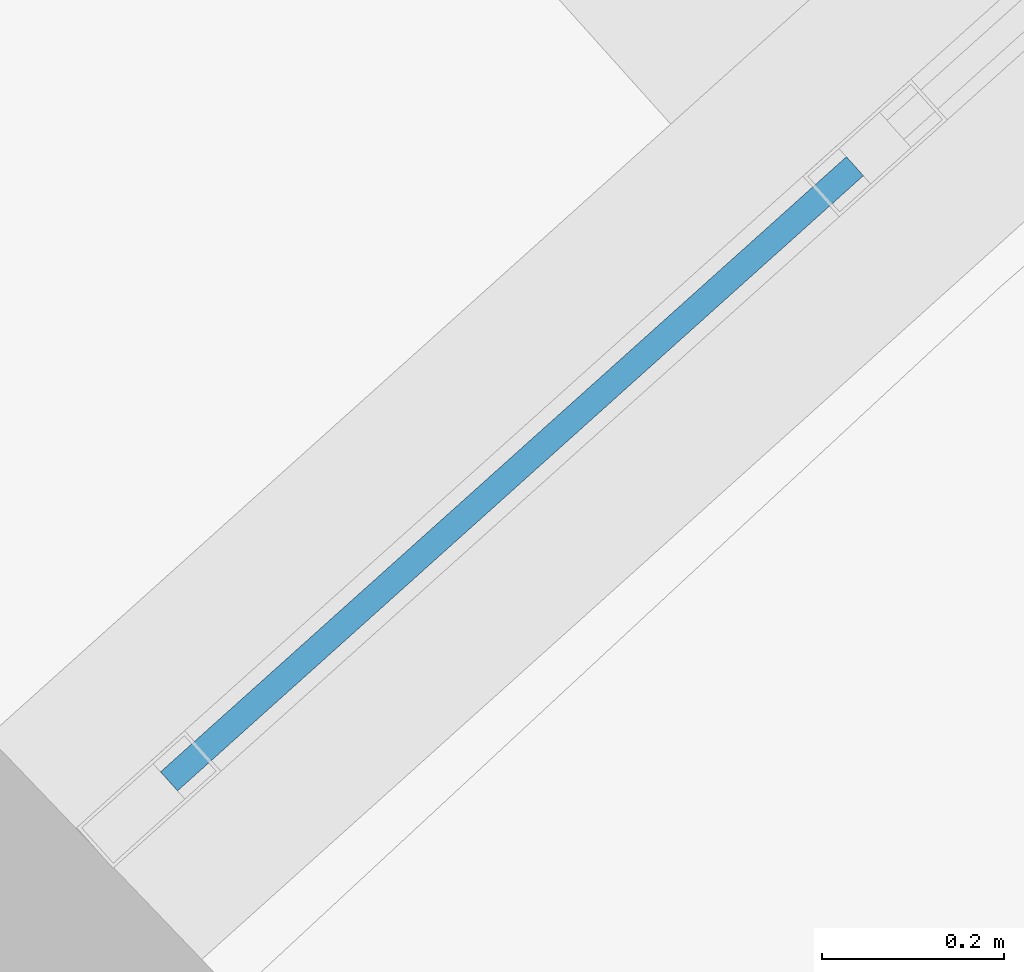
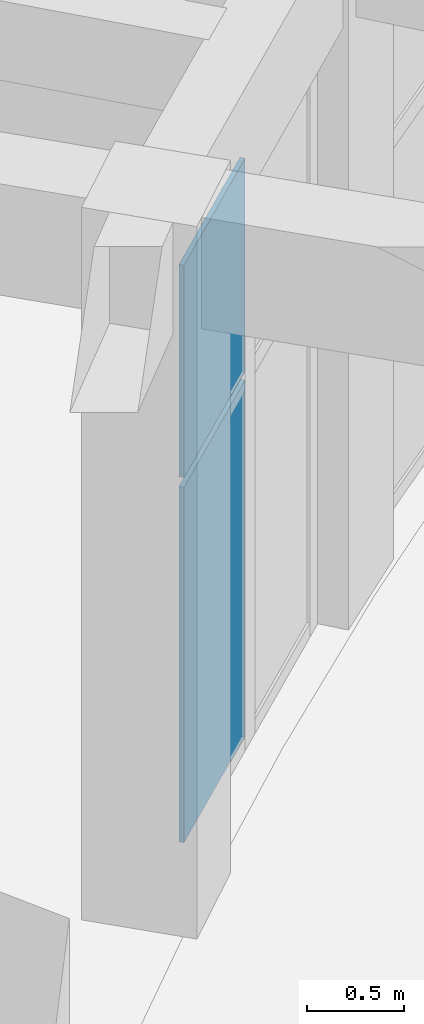
# One storey, part 76 of 132: 2 plates, 1 element without a shape of its own.
"""IFC4 building model written with IfcOpenShell, lengths in metres."""

from ifc_helpers import new_model, si_unit, direction, frame, origin, origin_2d, place, context, subcontext, project, spatial, rectangle, extrude, material, layer, layer_set, type_object, element, aggregate, save


model = new_model("IFC4")

# Units and contexts
model_context = context("Model", 3, precision=1e-05, world=origin(), true_north=direction((0.0, 1.0)))
body_context = subcontext(model_context, "Body", "Model", "MODEL_VIEW")
ifc_project = project(units=[si_unit("LENGTHUNIT", "METRE"), si_unit("AREAUNIT", "SQUARE_METRE"), si_unit("VOLUMEUNIT", "CUBIC_METRE"), si_unit("PLANEANGLEUNIT", "RADIAN"), si_unit("MASSUNIT", "GRAM", prefix="KILO")], contexts=[model_context])

# Site, building, storey
site_placement = place(None, origin())
site = spatial("IfcSite", under=ifc_project, at=site_placement, CompositionType="ELEMENT")
building_placement = place(site_placement, origin())
building = spatial("IfcBuilding", under=site, at=building_placement, Name="Tanwirah Colonnade Gardens", CompositionType="ELEMENT")
storey_placement = place(building_placement, origin())
storey = spatial("IfcBuildingStorey", under=building, at=storey_placement, Name="L00", CompositionType="ELEMENT", Elevation=0.0)

# Curtain wall, plates
ifc_material_1 = material(Name="Bronze-anodised aluminium and solar-control low-E glass", Category="aluminium")
curtain_wall_type = type_object("IfcCurtainWallType", Name="CW-GDN", PredefinedType="NOTDEFINED", material=ifc_material_1)
curtain_wall_placement = place(storey_placement, origin())
curtain_wall = element("IfcCurtainWall", 1, at=curtain_wall_placement, inside=storey, type_object=curtain_wall_type, Name="Curtain Wall CW-A-L00-IN-09", PredefinedType="NOTDEFINED")
ifc_material_2 = material(Name="Solar-control low-E double glazing", Category="glass")
ifc_layer = layer(ifc_material_2, 0.028076171875)
ifc_layer_set = layer_set([ifc_layer], Name="Solar-control low-E double glazing")
plate_type = type_object("IfcPlateType", Name="CWP-GLZ28", PredefinedType="CURTAIN_PANEL", material=ifc_layer_set)
plate_1_placement = place(storey_placement, frame((34.937255859375, 92.91357421875, 0.06005859375), z_axis=(0.0, 0.0, 1.0), x_axis=(-0.744440162253, -0.667689182798, 0.0)))
plate_1 = element("IfcPlate", 2, at=plate_1_placement, type_object=plate_type, Name="CW-GDN panel 2.1", PredefinedType="CURTAIN_PANEL", context=body_context, shape_type="SweptSolid", body=[
    extrude(rectangle(XDim=1.01513671875, YDim=0.028076171875, at=origin_2d()), origin(), (0.0, 0.0, 1.0), 2.238037109375),
])
plate_2_placement = place(storey_placement, frame((34.937255859375, 92.91357421875, 2.358154296875), z_axis=(0.0, 0.0, 1.0), x_axis=(-0.744440162253, -0.667689182798, 0.0)))
plate_2 = element("IfcPlate", 3, at=plate_2_placement, type_object=plate_type, Name="CW-GDN panel 2.2", PredefinedType="CURTAIN_PANEL", context=body_context, shape_type="SweptSolid", body=[
    extrude(rectangle(XDim=1.01513671875, YDim=0.028076171875, at=origin_2d()), origin(), (0.0, 0.0, 1.0), 1.3369140625),
])
aggregate(curtain_wall, [plate_1, plate_2])

save(model, "model.ifc")
